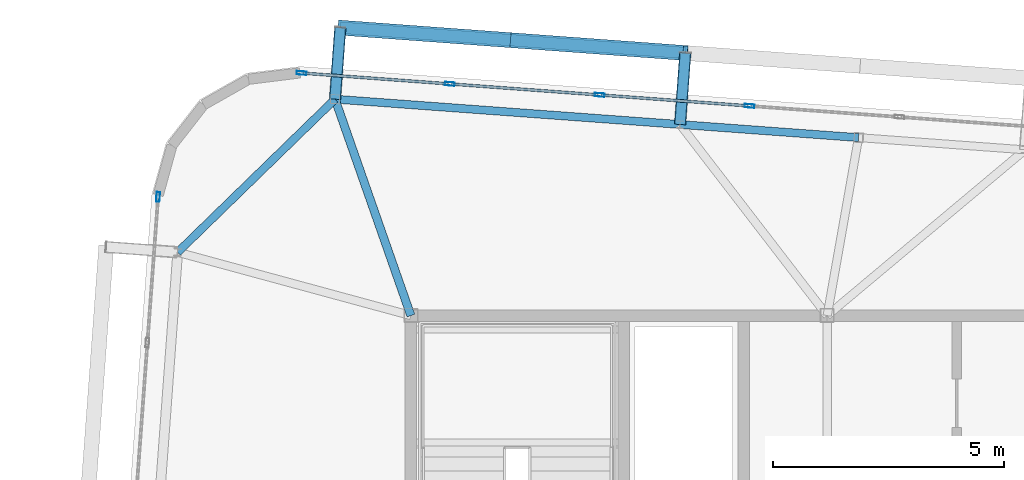
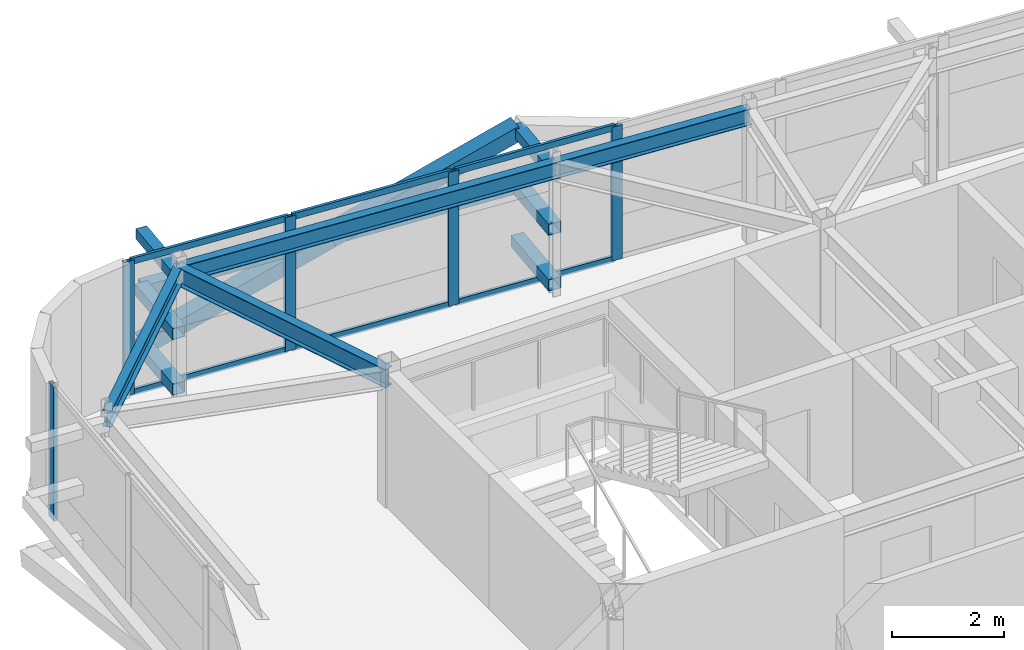
# One storey, part 26 of 42: 20 members, 4 beams, 2 elements without a shape of their own.
"""IFC4 building model written with IfcOpenShell, lengths in metres."""

from ifc_helpers import new_model, si_unit, direction, frame, origin, origin_2d, place, context, subcontext, project, spatial, hollow_rectangle, i_section, extrude, source, transform, mapped, material, layer, layer_set, material_profile, profile_set, type_object, element, aggregate, save


model = new_model("IFC4")

# Units and contexts
model_context = context("Model", 3, precision=1e-05, world=origin(), true_north=direction((0.0, 1.0)))
body_context = subcontext(model_context, "Body", "Model", "MODEL_VIEW")
ifc_project = project(units=[si_unit("LENGTHUNIT", "METRE"), si_unit("AREAUNIT", "SQUARE_METRE"), si_unit("VOLUMEUNIT", "CUBIC_METRE"), si_unit("PLANEANGLEUNIT", "RADIAN"), si_unit("MASSUNIT", "GRAM", prefix="KILO")], contexts=[model_context])

# Site, building, storey
site_placement = place(None, origin())
site = spatial("IfcSite", under=ifc_project, at=site_placement, CompositionType="ELEMENT")
building_placement = place(site_placement, origin())
building = spatial("IfcBuilding", under=site, at=building_placement, Name="Taldren Reach Tower", CompositionType="ELEMENT")
storey_placement = place(building_placement, frame((0.0, 0.0, 217.699951171875)))
storey = spatial("IfcBuildingStorey", under=building, at=storey_placement, Name="L66", CompositionType="ELEMENT", Elevation=217.699951171875)

# Members
ifc_material_1 = material(Name="Steel Gr 350 (C350L0)", Category="steel")
ifc_material_profile_1 = material_profile(ifc_material_1, hollow_rectangle(XDim=0.25, YDim=0.25, WallThickness=0.010009765625, at=origin_2d()), Name="250x250x10.0SHS")
ifc_profile_set_1 = profile_set([ifc_material_profile_1], Name="Steel Gr 350 (C350L0)")
member_type_1 = type_object("IfcMemberType", Name="MB-POST250", PredefinedType="POST", material=ifc_profile_set_1)
shared_shape_1 = source(origin(), body_context, "Body", "SweptSolid", [
    extrude(hollow_rectangle(XDim=0.25, YDim=0.25, WallThickness=0.010009765625, at=origin_2d()), origin(), (0.0, 0.0, 1.0), 1.5498046875),
])
for number, where, z_axis, x_axis, name in (
    (1, (17.35986328125, 36.678955078125, 0.219970703125), (0.073250797913, 0.997313551801, 0.0), (-0.997313551801, 0.073250797913, 0.0), "Exoskeleton base diaphragm tie strut B5-N1 L66"),
    (2, (17.35986328125, 36.678955078125, 1.43505859375), (0.073250797913, 0.997313551801, 0.0), (-0.997313551801, 0.073250797913, 0.0), "Exoskeleton mid-tier diaphragm tie B5-N1 L66"),
):
    element("IfcMember", number, at=place(storey_placement, frame(where, z_axis=z_axis, x_axis=x_axis)), inside=storey, type_object=member_type_1, Name=name, PredefinedType="POST", context=body_context, shape_type="MappedRepresentation", body=[
        mapped(shared_shape_1, transform((0.0, 0.0, 0.0), scale=1.0)),
    ])
shared_shape_2 = source(origin(), body_context, "Body", "SweptSolid", [
    extrude(hollow_rectangle(XDim=0.25, YDim=0.25, WallThickness=0.010009765625, at=origin_2d()), origin(), (0.0, 0.0, 1.0), 1.550048828125),
])
for number, where, z_axis, x_axis, name in (
    (3, (24.819580078125, 36.131103515625, 0.219970703125), (0.07323929162, 0.997314396849, 0.0), (-0.997314396849, 0.07323929162, 0.0), "Exoskeleton base diaphragm tie strut B5-N2 L66"),
    (4, (24.819580078125, 36.131103515625, 1.43505859375), (0.07323929162, 0.997314396849, 0.0), (-0.997314396849, 0.07323929162, 0.0), "Exoskeleton mid-tier diaphragm tie B5-N2 L66"),
):
    element("IfcMember", number, at=place(storey_placement, frame(where, z_axis=z_axis, x_axis=x_axis)), inside=storey, type_object=member_type_1, Name=name, PredefinedType="POST", context=body_context, shape_type="MappedRepresentation", body=[
        mapped(shared_shape_2, transform((0.0, 0.0, 0.0), scale=1.0)),
    ])
ifc_material_2 = material(Name="Steel Gr 450 (C450L0)", Category="steel")
ifc_material_profile_2 = material_profile(ifc_material_2, hollow_rectangle(XDim=0.219970703125, YDim=0.219970703125, WallThickness=0.00830078125, at=origin_2d()), Name="220x220x8.2SHS")
ifc_profile_set_2 = profile_set([ifc_material_profile_2], Name="Steel Gr 450 (C450L0)")
member_type_2 = type_object("IfcMemberType", Name="MB-TIE219", PredefinedType="STRUT", material=ifc_profile_set_2)
shared_shape_3 = source(origin(), body_context, "Body", "SweptSolid", [
    extrude(hollow_rectangle(XDim=0.219970703125, YDim=0.219970703125, WallThickness=0.00830078125, at=origin_2d()), origin(), (0.0, 0.0, 1.0), 1.5498046875),
])
member_1_placement = place(storey_placement, frame((17.35986328125, 36.678955078125, 2.650146484375), z_axis=(0.073250797913, 0.997313551801, 0.0), x_axis=(-0.997313551801, 0.073250797913, 0.0)))
element("IfcMember", 5, at=member_1_placement, inside=storey, type_object=member_type_2, Name="Exoskeleton diaphragm tie strut B5-N1 L66", PredefinedType="STRUT", context=body_context, shape_type="MappedRepresentation", body=[
    mapped(shared_shape_3, transform((0.0, 0.0, 0.0), scale=1.0)),
])
shared_shape_4 = source(origin(), body_context, "Body", "SweptSolid", [
    extrude(hollow_rectangle(XDim=0.219970703125, YDim=0.219970703125, WallThickness=0.00830078125, at=origin_2d()), origin(), (0.0, 0.0, 1.0), 1.550048828125),
])
member_2_placement = place(storey_placement, frame((24.819580078125, 36.131103515625, 2.650146484375), z_axis=(0.07323929162, 0.997314396849, 0.0), x_axis=(-0.997314396849, 0.07323929162, 0.0)))
element("IfcMember", 6, at=member_2_placement, inside=storey, type_object=member_type_2, Name="Exoskeleton diaphragm tie strut B5-N2 L66", PredefinedType="STRUT", context=body_context, shape_type="MappedRepresentation", body=[
    mapped(shared_shape_4, transform((0.0, 0.0, 0.0), scale=1.0)),
])

# Beams
ifc_material_3 = material(Name="Steel Gr 350 (350PLUS)", Category="steel")
ifc_material_profile_3 = material_profile(ifc_material_3, i_section(OverallWidth=0.172119140625, OverallDepth=0.35888671875, WebThickness=0.008056640625, FlangeThickness=0.012939453125, at=origin_2d()), Name="360UB56.7")
ifc_profile_set_3 = profile_set([ifc_material_profile_3], Name="Steel Gr 350 (350PLUS)")
beam_type_1 = type_object("IfcBeamType", Name="SP-UB360", PredefinedType="SPANDREL", material=ifc_profile_set_3)
shared_shape_5 = source(origin(), body_context, "Body", "SweptSolid", [
    extrude(i_section(OverallWidth=0.172119140625, OverallDepth=0.35888671875, WebThickness=0.008056640625, FlangeThickness=0.012939453125, at=origin_2d()), origin(), (0.0, 0.0, 1.0), 7.479736328125),
])
beam_1_placement = place(storey_placement, frame((24.819580078125, 36.131103515625, 2.75048828125), z_axis=(-0.997314045547, 0.073244075215, 0.0), x_axis=(-0.073244075215, -0.997314045547, 0.0)))
element("IfcBeam", 7, at=beam_1_placement, inside=storey, type_object=beam_type_1, Name="Perimeter spandrel B5 N2-N1 L66", PredefinedType="SPANDREL", context=body_context, shape_type="MappedRepresentation", body=[
    mapped(shared_shape_5, transform((0.0, 0.0, 0.0), scale=1.0)),
])
shared_shape_6 = source(origin(), body_context, "Body", "SweptSolid", [
    extrude(i_section(OverallWidth=0.172119140625, OverallDepth=0.35888671875, WebThickness=0.008056640625, FlangeThickness=0.012939453125, at=origin_2d()), origin(), (0.0, 0.0, 1.0), 4.74609375),
])
beam_2_placement = place(storey_placement, frame((17.35986328125, 36.678955078125, 2.75048828125), z_axis=(-0.716711338436, -0.697369957309, 0.0), x_axis=(0.697369957309, -0.716711338436, 0.0)))
element("IfcBeam", 8, at=beam_2_placement, inside=storey, type_object=beam_type_1, Name="Perimeter spandrel B5 N1-W3 L66", PredefinedType="SPANDREL", context=body_context, shape_type="MappedRepresentation", body=[
    mapped(shared_shape_6, transform((0.0, 0.0, 0.0), scale=1.0)),
])
shared_shape_7 = source(origin(), body_context, "Body", "SweptSolid", [
    extrude(i_section(OverallWidth=0.172119140625, OverallDepth=0.35888671875, WebThickness=0.008056640625, FlangeThickness=0.012939453125, at=origin_2d()), origin(), (0.0, 0.0, 1.0), 3.8701171875),
])
beam_3_placement = place(storey_placement, frame((28.67919921875, 35.84765625, 2.75048828125), z_axis=(-0.997314202545, 0.073241937451, 0.0), x_axis=(-0.073241937451, -0.997314202545, 0.0)))
element("IfcBeam", 9, at=beam_3_placement, inside=storey, type_object=beam_type_1, Name="Perimeter spandrel B5 PJN1-N2 L66", PredefinedType="SPANDREL", context=body_context, shape_type="MappedRepresentation", body=[
    mapped(shared_shape_7, transform((0.0, 0.0, 0.0), scale=1.0)),
])
ifc_material_profile_4 = material_profile(ifc_material_3, i_section(OverallWidth=0.177978515625, OverallDepth=0.406005859375, WebThickness=0.0078125, FlangeThickness=0.0126953125, at=origin_2d()), Name="410UB59.7")
ifc_profile_set_4 = profile_set([ifc_material_profile_4], Name="Steel Gr 350 (350PLUS)")
beam_type_2 = type_object("IfcBeamType", Name="BM-UB410", PredefinedType="BEAM", material=ifc_profile_set_4)
shared_shape_8 = source(origin(), body_context, "Body", "SweptSolid", [
    extrude(i_section(OverallWidth=0.177978515625, OverallDepth=0.406005859375, WebThickness=0.0078125, FlangeThickness=0.0126953125, at=origin_2d()), origin(), (0.0, 0.0, 1.0), 4.9580078125),
])
beam_4_placement = place(storey_placement, frame((19.0, 32.0, 2.72705078125), z_axis=(-0.330800025288, 0.943700875951, 0.0), x_axis=(-0.943700875951, -0.330800025288, 0.0)))
element("IfcBeam", 10, at=beam_4_placement, inside=storey, type_object=beam_type_2, Name="Primary floor girder B5-N1 L66", PredefinedType="BEAM", context=body_context, shape_type="MappedRepresentation", body=[
    mapped(shared_shape_8, transform((0.0, 0.0, 0.0), scale=1.0)),
])

# Members
ifc_material_profile_5 = material_profile(ifc_material_2, hollow_rectangle(XDim=0.324951171875, YDim=0.324951171875, WallThickness=0.0126953125, at=origin_2d()), Name="325x325x12.7SHS")
ifc_profile_set_5 = profile_set([ifc_material_profile_5], Name="Steel Gr 450 (C450L0)")
member_type_3 = type_object("IfcMemberType", Name="MB-BR324", PredefinedType="BRACE", material=ifc_profile_set_5)
shared_shape_9 = source(origin(), body_context, "Body", "SweptSolid", [
    extrude(hollow_rectangle(XDim=0.324951171875, YDim=0.324951171875, WallThickness=0.0126953125, at=origin_2d()), origin(), (0.0, 0.0, 1.0), 3.932373046875),
])
member_3_placement = place(storey_placement, frame((17.473388671875, 38.224609375, 0.219970703125), z_axis=(0.948511132845, -0.069657644394, 0.308989390507), x_axis=(0.07324169103, 0.997314220642, 0.0)))
element("IfcMember", 11, at=member_3_placement, inside=storey, type_object=member_type_3, Name="Exoskeleton Diagrid Brace B5-N1 L66", PredefinedType="BRACE", context=body_context, shape_type="MappedRepresentation", body=[
    mapped(shared_shape_9, transform((0.0, 0.0, 0.0), scale=1.0)),
])
shared_shape_10 = source(origin(), body_context, "Body", "SweptSolid", [
    extrude(hollow_rectangle(XDim=0.324951171875, YDim=0.324951171875, WallThickness=0.0126953125, at=origin_2d()), origin(), (0.0, 0.0, 1.0), 3.93212890625),
])
member_4_placement = place(storey_placement, frame((21.203369140625, 37.95068359375, 1.43505859375), z_axis=(0.948509004245, -0.069599960317, 0.309008922833), x_axis=(0.073181527281, 0.997318637179, 0.0)))
element("IfcMember", 12, at=member_4_placement, inside=storey, type_object=member_type_3, Name="Exoskeleton Diagrid Brace B5-N1 L66", PredefinedType="BRACE", context=body_context, shape_type="MappedRepresentation", body=[
    mapped(shared_shape_10, transform((0.0, 0.0, 0.0), scale=1.0)),
])
shared_shape_11 = source(origin(), body_context, "Body", "SweptSolid", [
    extrude(hollow_rectangle(XDim=0.25, YDim=0.25, WallThickness=0.010009765625, at=origin_2d()), origin(), (0.0, 0.0, 1.0), 7.479736328125),
])
member_5_placement = place(storey_placement, frame((17.473388671875, 38.224609375, 1.43505859375), z_axis=(0.997316429287, -0.07321161024, 0.0), x_axis=(0.07321161024, 0.997316429287, 0.0)))
element("IfcMember", 13, at=member_5_placement, inside=storey, type_object=member_type_1, Name="Exoskeleton mid-height ring chord B5-N1 L66", PredefinedType="POST", context=body_context, shape_type="MappedRepresentation", body=[
    mapped(shared_shape_11, transform((0.0, 0.0, 0.0), scale=1.0)),
])

# Curtain wall, members
ifc_material_4 = material(Name="Aluminium and Low-E Glass Unitised System", Category="aluminium")
ifc_layer = layer(ifc_material_4, 0.159912109375)
ifc_layer_set = layer_set([ifc_layer], Name="Aluminium and Low-E Glass Unitised System")
curtain_wall_type = type_object("IfcCurtainWallType", Name="CW-SYS-6", PredefinedType="NOTDEFINED", material=ifc_layer_set)
curtain_wall_1_placement = place(storey_placement, origin())
curtain_wall_1 = element("IfcCurtainWall", 14, at=curtain_wall_1_placement, inside=storey, type_object=curtain_wall_type, Name="Unitised curtain wall CW-L66-N", PredefinedType="NOTDEFINED")
ifc_material_5 = material(Name="Anodised Aluminium 6063-T6", Category="aluminium")
ifc_material_profile_6 = material_profile(ifc_material_5, hollow_rectangle(XDim=0.074951171875, YDim=0.2099609375, WallThickness=0.00439453125, at=origin_2d()), Name="ALU-210x75x4.5RHS")
ifc_profile_set_6 = profile_set([ifc_material_profile_6], Name="Anodised Aluminium 6063-T6")
member_type_4 = type_object("IfcMemberType", Name="CW-MUL-200", PredefinedType="MULLION", material=ifc_profile_set_6)
shared_shape_12 = source(origin(), body_context, "Body", "SweptSolid", [
    extrude(hollow_rectangle(XDim=0.074951171875, YDim=0.2099609375, WallThickness=0.00439453125, at=origin_2d()), origin(), (0.0, 0.0, 1.0), 2.929931640625),
])
member_6_placement = place(storey_placement, frame((26.322998046875, 36.531982421875, 0.0), z_axis=(0.0, 0.0, 1.0), x_axis=(-0.073238213716, -0.997314476006, 0.0)))
member_6 = element("IfcMember", 15, at=member_6_placement, type_object=member_type_4, Name="CW-6 mullion 10", PredefinedType="MULLION", context=body_context, shape_type="MappedRepresentation", body=[
    mapped(shared_shape_12, transform((0.0, 0.0, 0.0), scale=1.0)),
])
member_7_placement = place(storey_placement, frame((23.081787109375, 36.77001953125, 0.0), z_axis=(0.0, 0.0, 1.0), x_axis=(-0.073238213716, -0.997314476006, 0.0)))
member_7 = element("IfcMember", 16, at=member_7_placement, type_object=member_type_4, Name="CW-6 mullion 11", PredefinedType="MULLION", context=body_context, shape_type="MappedRepresentation", body=[
    mapped(shared_shape_12, transform((0.0, 0.0, 0.0), scale=1.0)),
])
member_8_placement = place(storey_placement, frame((19.840576171875, 37.008056640625, 0.0), z_axis=(0.0, 0.0, 1.0), x_axis=(-0.073238213716, -0.997314476006, 0.0)))
member_8 = element("IfcMember", 17, at=member_8_placement, type_object=member_type_4, Name="CW-6 mullion 12", PredefinedType="MULLION", context=body_context, shape_type="MappedRepresentation", body=[
    mapped(shared_shape_12, transform((0.0, 0.0, 0.0), scale=1.0)),
])
member_9_placement = place(storey_placement, frame((16.63671875, 37.243408203125, 0.0), z_axis=(0.0, 0.0, 1.0), x_axis=(-0.073238213716, -0.997314476006, 0.0)))
member_9 = element("IfcMember", 18, at=member_9_placement, type_object=member_type_4, Name="CW-6 mullion 13", PredefinedType="MULLION", context=body_context, shape_type="MappedRepresentation", body=[
    mapped(shared_shape_12, transform((0.0, 0.0, 0.0), scale=1.0)),
])

# Curtain wall, member
curtain_wall_2_placement = place(storey_placement, origin())
curtain_wall_2 = element("IfcCurtainWall", 19, at=curtain_wall_2_placement, inside=storey, type_object=curtain_wall_type, Name="Unitised curtain wall CW-L66-W", PredefinedType="NOTDEFINED")
member_10_placement = place(storey_placement, frame((13.53466796875, 34.56591796875, 0.0), z_axis=(0.0, 0.0, 1.0), x_axis=(0.997314470951, -0.073238282558, 0.0)))
member_10 = element("IfcMember", 20, at=member_10_placement, type_object=member_type_4, Name="CW-6 mullion 1", PredefinedType="MULLION", context=body_context, shape_type="MappedRepresentation", body=[
    mapped(shared_shape_12, transform((0.0, 0.0, 0.0), scale=1.0)),
])
aggregate(curtain_wall_2, [member_10])

# Member
ifc_material_profile_7 = material_profile(ifc_material_5, hollow_rectangle(XDim=0.06005859375, YDim=0.135009765625, WallThickness=0.00341796875, at=origin_2d()), Name="ALU-135x60x3.5RHS")
ifc_profile_set_7 = profile_set([ifc_material_profile_7], Name="Anodised Aluminium 6063-T6")
member_type_5 = type_object("IfcMemberType", Name="CW-TRN-150", PredefinedType="USERDEFINED", material=ifc_profile_set_7)
shared_shape_13 = source(origin(), body_context, "Body", "SweptSolid", [
    extrude(hollow_rectangle(XDim=0.06005859375, YDim=0.135009765625, WallThickness=0.00341796875, at=origin_2d()), origin(), (0.0, 0.0, 1.0), 3.175048828125),
])
member_11_placement = place(storey_placement, frame((26.28564453125, 36.53466796875, 0.030029296875), z_axis=(-0.997311428111, 0.073279706322, 0.0), x_axis=(-0.073279706322, -0.997311428111, 0.0)))
member_11 = element("IfcMember", 21, at=member_11_placement, type_object=member_type_5, Name="CW-6 transom 10.1", ObjectType="TRANSOM", PredefinedType="USERDEFINED", context=body_context, shape_type="MappedRepresentation", body=[
    mapped(shared_shape_13, transform((0.0, 0.0, 0.0), scale=1.0)),
])

member_12_placement = place(storey_placement, frame((26.28564453125, 36.53466796875, 2.900146484375), z_axis=(-0.997311428111, 0.073279706322, 0.0), x_axis=(-0.073279706322, -0.997311428111, 0.0)))
member_12 = element("IfcMember", 22, at=member_12_placement, type_object=member_type_5, Name="CW-6 transom 10.2", ObjectType="TRANSOM", PredefinedType="USERDEFINED", context=body_context, shape_type="MappedRepresentation", body=[
    mapped(shared_shape_13, transform((0.0, 0.0, 0.0), scale=1.0)),
])

member_13_placement = place(storey_placement, frame((23.04443359375, 36.772705078125, 0.030029296875), z_axis=(-0.997311428111, 0.073279706322, 0.0), x_axis=(-0.073279706322, -0.997311428111, 0.0)))
member_13 = element("IfcMember", 23, at=member_13_placement, type_object=member_type_5, Name="CW-6 transom 11.1", ObjectType="TRANSOM", PredefinedType="USERDEFINED", context=body_context, shape_type="MappedRepresentation", body=[
    mapped(shared_shape_13, transform((0.0, 0.0, 0.0), scale=1.0)),
])

member_14_placement = place(storey_placement, frame((23.04443359375, 36.772705078125, 2.900146484375), z_axis=(-0.997311428111, 0.073279706322, 0.0), x_axis=(-0.073279706322, -0.997311428111, 0.0)))
member_14 = element("IfcMember", 24, at=member_14_placement, type_object=member_type_5, Name="CW-6 transom 11.2", ObjectType="TRANSOM", PredefinedType="USERDEFINED", context=body_context, shape_type="MappedRepresentation", body=[
    mapped(shared_shape_13, transform((0.0, 0.0, 0.0), scale=1.0)),
])

shared_shape_14 = source(origin(), body_context, "Body", "SweptSolid", [
    extrude(hollow_rectangle(XDim=0.06005859375, YDim=0.135009765625, WallThickness=0.00341796875, at=origin_2d()), origin(), (0.0, 0.0, 1.0), 3.137451171875),
])
member_15_placement = place(storey_placement, frame((19.80322265625, 37.0107421875, 0.030029296875), z_axis=(-0.997315736795, 0.073221043015, 0.0), x_axis=(-0.073221043015, -0.997315736795, 0.0)))
member_15 = element("IfcMember", 25, at=member_15_placement, type_object=member_type_5, Name="CW-6 transom 12.1", ObjectType="TRANSOM", PredefinedType="USERDEFINED", context=body_context, shape_type="MappedRepresentation", body=[
    mapped(shared_shape_14, transform((0.0, 0.0, 0.0), scale=1.0)),
])

member_16_placement = place(storey_placement, frame((19.80322265625, 37.0107421875, 2.900146484375), z_axis=(-0.997315736795, 0.073221043015, 0.0), x_axis=(-0.073221043015, -0.997315736795, 0.0)))
member_16 = element("IfcMember", 26, at=member_16_placement, type_object=member_type_5, Name="CW-6 transom 12.2", ObjectType="TRANSOM", PredefinedType="USERDEFINED", context=body_context, shape_type="MappedRepresentation", body=[
    mapped(shared_shape_14, transform((0.0, 0.0, 0.0), scale=1.0)),
])

aggregate(curtain_wall_1, [member_6, member_7, member_8, member_9, member_11, member_12, member_13, member_14, member_15, member_16])

save(model, "model.ifc")
